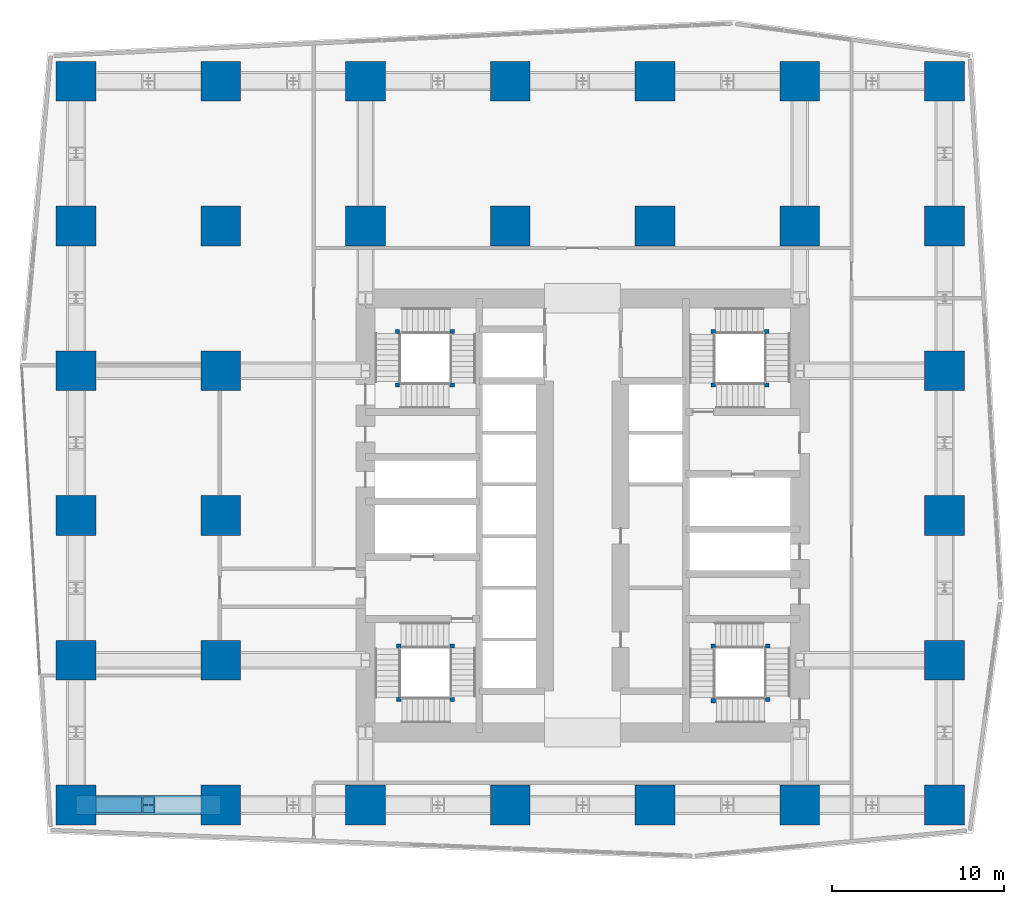
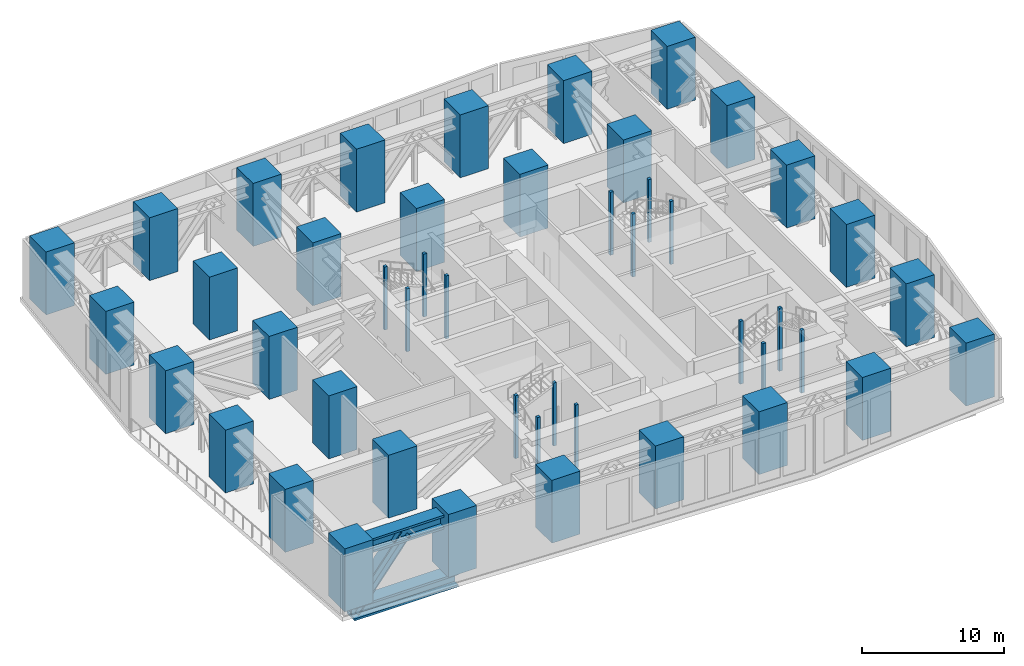
# One storey, part 1 of 16: 46 columns, 3 members.
"""IFC4 building model written with IfcOpenShell, lengths in metres."""

from ifc_helpers import new_model, si_unit, direction, frame, origin, origin_2d, place, context, subcontext, project, spatial, rectangle, i_section, extrude, material, material_profile, profile_set, type_object, element, save


model = new_model("IFC4")

# Units and contexts
model_context = context("Model", 3, precision=1e-05, world=origin(), true_north=direction((0.0, 1.0)))
body_context = subcontext(model_context, "Body", "Model", "MODEL_VIEW")
ifc_project = project(units=[si_unit("LENGTHUNIT", "METRE"), si_unit("AREAUNIT", "SQUARE_METRE"), si_unit("VOLUMEUNIT", "CUBIC_METRE"), si_unit("PLANEANGLEUNIT", "RADIAN"), si_unit("MASSUNIT", "GRAM", prefix="KILO")], contexts=[model_context])

# Site, building, storey
site_placement = place(None, origin())
site = spatial("IfcSite", under=ifc_project, at=site_placement, CompositionType="ELEMENT")
building_placement = place(site_placement, origin())
building = spatial("IfcBuilding", under=site, at=building_placement, Name="Rekha Terrace Tower", CompositionType="ELEMENT")
storey_placement = place(building_placement, frame((0.0, 0.0, 240.199951171875)))
storey = spatial("IfcBuildingStorey", under=building, at=storey_placement, Name="L61", CompositionType="ELEMENT", Elevation=240.199951171875)

# Columns
ifc_material_1 = material(Name="Concrete M70", Category="concrete")
ifc_material_profile_1 = material_profile(ifc_material_1, rectangle(XDim=2.300048828125, YDim=2.300048828125, at=origin_2d()), Name="RC 2300x2300")
ifc_profile_set_1 = profile_set([ifc_material_profile_1], Name="Concrete M70")
column_type_1 = type_object("IfcColumnType", Name="C5T 2300x2300 column", PredefinedType="COLUMN", material=ifc_profile_set_1)
for number, where, z_axis, x_axis, name in (
    (1, (8.39990234375, 16.800048828125, 0.0), (0.0, 0.0, 1.0), (1.0, 0.0, 0.0), "Column C5T 2/C L61"),
    (2, (8.39990234375, 25.199951171875, 0.0), (0.0, 0.0, 1.0), (1.0, 0.0, 0.0), "Column C5T 2/D L61"),
    (3, (8.39990234375, 33.60009765625, 0.0), (0.0, 0.0, 1.0), (1.0, 0.0, 0.0), "Column C5T 2/E L61"),
    (4, (8.39990234375, 42.0, 0.0), (0.0, 0.0, 1.0), (1.0, 0.0, 0.0), "Column C5T 2/F L61"),
    (5, (8.39990234375, 50.39990234375, 0.0), (0.0, 0.0, 1.0), (1.0, 0.0, 0.0), "Column C5T 2/G L61"),
    (6, (8.39990234375, 58.800048828125, 0.0), (0.0, 0.0, 1.0), (1.0, 0.0, 0.0), "Column C5T 2/H L61"),
    (7, (16.800048828125, 16.800048828125, 0.0), (0.0, 0.0, 1.0), (1.0, 0.0, 0.0), "Column C5T 3/C L61"),
    (8, (16.800048828125, 25.199951171875, 0.0), (0.0, 0.0, 1.0), (1.0, 0.0, 0.0), "Column C5T 3/D L61"),
    (9, (16.800048828125, 33.60009765625, 0.0), (0.0, 0.0, 1.0), (1.0, 0.0, 0.0), "Column C5T 3/E L61"),
    (10, (16.800048828125, 42.0, 0.0), (0.0, 0.0, 1.0), (1.0, 0.0, 0.0), "Column C5T 3/F L61"),
    (11, (16.800048828125, 50.39990234375, 0.0), (0.0, 0.0, 1.0), (1.0, 0.0, 0.0), "Column C5T 3/G L61"),
    (12, (16.800048828125, 58.800048828125, 0.0), (0.0, 0.0, 1.0), (1.0, 0.0, 0.0), "Column C5T 3/H L61"),
    (13, (25.199951171875, 16.800048828125, 0.0), (0.0, 0.0, 1.0), (1.0, 0.0, 0.0), "Column C5T 4/C L61"),
    (14, (25.199951171875, 50.39990234375, 0.0), (0.0, 0.0, 1.0), (1.0, 0.0, 0.0), "Column C5T 4/G L61"),
    (15, (25.199951171875, 58.800048828125, 0.0), (0.0, 0.0, 1.0), (1.0, 0.0, 0.0), "Column C5T 4/H L61"),
    (16, (33.60009765625, 16.800048828125, 0.0), (0.0, 0.0, 1.0), (1.0, 0.0, 0.0), "Column C5T 5/C L61"),
    (17, (33.60009765625, 50.39990234375, 0.0), (0.0, 0.0, 1.0), (1.0, 0.0, 0.0), "Column C5T 5/G L61"),
    (18, (33.60009765625, 58.800048828125, 0.0), (0.0, 0.0, 1.0), (1.0, 0.0, 0.0), "Column C5T 5/H L61"),
    (19, (42.0, 16.800048828125, 0.0), (0.0, 0.0, 1.0), (1.0, 0.0, 0.0), "Column C5T 6/C L61"),
    (20, (42.0, 50.39990234375, 0.0), (0.0, 0.0, 1.0), (1.0, 0.0, 0.0), "Column C5T 6/G L61"),
    (21, (42.0, 58.800048828125, 0.0), (0.0, 0.0, 1.0), (1.0, 0.0, 0.0), "Column C5T 6/H L61"),
    (22, (50.39990234375, 16.800048828125, 0.0), (0.0, 0.0, 1.0), (1.0, 0.0, 0.0), "Column C5T 7/C L61"),
    (23, (50.39990234375, 50.39990234375, 0.0), (0.0, 0.0, 1.0), (1.0, 0.0, 0.0), "Column C5T 7/G L61"),
    (24, (50.39990234375, 58.800048828125, 0.0), (0.0, 0.0, 1.0), (1.0, 0.0, 0.0), "Column C5T 7/H L61"),
    (25, (58.800048828125, 16.800048828125, 0.0), (0.0, 0.0, 1.0), (1.0, 0.0, 0.0), "Column C5T 8/C L61"),
    (26, (58.800048828125, 25.199951171875, 0.0), (0.0, 0.0, 1.0), (1.0, 0.0, 0.0), "Column C5T 8/D L61"),
    (27, (58.800048828125, 33.60009765625, 0.0), (0.0, 0.0, 1.0), (1.0, 0.0, 0.0), "Column C5T 8/E L61"),
    (28, (58.800048828125, 42.0, 0.0), (0.0, 0.0, 1.0), (1.0, 0.0, 0.0), "Column C5T 8/F L61"),
    (29, (58.800048828125, 50.39990234375, 0.0), (0.0, 0.0, 1.0), (1.0, 0.0, 0.0), "Column C5T 8/G L61"),
    (30, (58.800048828125, 58.800048828125, 0.0), (0.0, 0.0, 1.0), (1.0, 0.0, 0.0), "Column C5T 8/H L61"),
):
    element("IfcColumn", number, at=place(storey_placement, frame(where, z_axis=z_axis, x_axis=x_axis)), inside=storey, type_object=column_type_1, Name=name, PredefinedType="COLUMN", context=body_context, shape_type="SweptSolid", body=[
        extrude(rectangle(XDim=2.300048828125, YDim=2.300048828125, at=origin_2d()), origin(), (0.0, 0.0, 1.0), 5.400146484375),
    ])
ifc_material_2 = material(Name="Concrete M60", Category="concrete")
ifc_material_profile_2 = material_profile(ifc_material_2, rectangle(XDim=0.25, YDim=0.25, at=origin_2d()), Name="RC 250x250")
ifc_profile_set_2 = profile_set([ifc_material_profile_2], Name="Concrete M60")
column_type_2 = type_object("IfcColumnType", Name="NP1 250x250 stair newel post", PredefinedType="COLUMN", material=ifc_profile_set_2)
for number, where, z_axis, x_axis, name in (
    (31, (30.22509765625, 26.02490234375, 0.0), (0.0, 0.0, 1.0), (1.0, 0.0, 0.0), "Stair newel post NP1"),
    (32, (30.22509765625, 22.925048828125, 0.0), (0.0, 0.0, 1.0), (1.0, 0.0, 0.0), "Stair newel post NP1"),
    (33, (27.125, 22.925048828125, 0.0), (0.0, 0.0, 1.0), (1.0, 0.0, 0.0), "Stair newel post NP1"),
    (34, (27.125, 26.02490234375, 0.0), (0.0, 0.0, 1.0), (1.0, 0.0, 0.0), "Stair newel post NP1"),
    (35, (45.375, 41.175048828125, 0.0), (0.0, 0.0, 1.0), (1.0, 0.0, 0.0), "Stair newel post NP1"),
    (36, (45.375, 44.27490234375, 0.0), (0.0, 0.0, 1.0), (1.0, 0.0, 0.0), "Stair newel post NP1"),
    (37, (48.47509765625, 44.27490234375, 0.0), (0.0, 0.0, 1.0), (1.0, 0.0, 0.0), "Stair newel post NP1"),
    (38, (48.47509765625, 41.175048828125, 0.0), (0.0, 0.0, 1.0), (1.0, 0.0, 0.0), "Stair newel post NP1"),
    (39, (48.544921875, 22.925048828125, 0.0), (0.0, 0.0, 1.0), (1.0, 0.0, 0.0), "Stair newel post NP1"),
    (40, (45.375, 22.85498046875, 0.0), (0.0, 0.0, 1.0), (1.0, 0.0, 0.0), "Stair newel post NP1"),
    (41, (45.375, 26.02490234375, 0.0), (0.0, 0.0, 1.0), (1.0, 0.0, 0.0), "Stair newel post NP1"),
    (42, (48.544921875, 26.02490234375, 0.0), (0.0, 0.0, 1.0), (1.0, 0.0, 0.0), "Stair newel post NP1"),
    (43, (27.054931640625, 41.175048828125, 0.0), (0.0, 0.0, 1.0), (1.0, 0.0, 0.0), "Stair newel post NP1"),
    (44, (30.22509765625, 41.175048828125, 0.0), (0.0, 0.0, 1.0), (1.0, 0.0, 0.0), "Stair newel post NP1"),
    (45, (30.22509765625, 44.27490234375, 0.0), (0.0, 0.0, 1.0), (1.0, 0.0, 0.0), "Stair newel post NP1"),
    (46, (27.054931640625, 44.27490234375, 0.0), (0.0, 0.0, 1.0), (1.0, 0.0, 0.0), "Stair newel post NP1"),
):
    element("IfcColumn", number, at=place(storey_placement, frame(where, z_axis=z_axis, x_axis=x_axis)), inside=storey, type_object=column_type_2, Name=name, PredefinedType="COLUMN", context=body_context, shape_type="SweptSolid", body=[
        extrude(rectangle(XDim=0.25, YDim=0.25, at=origin_2d()), origin(), (0.0, 0.0, 1.0), 5.400146484375),
    ])

# Members
ifc_material_3 = material(Name="Steel E350", Category="steel")
ifc_material_profile_3 = material_profile(ifc_material_3, i_section(OverallWidth=1.10009765625, OverallDepth=1.199951171875, WebThickness=0.1201171875, FlangeThickness=0.179931640625, at=origin_2d()), Name="BU 1200x1100x120x180")
ifc_profile_set_3 = profile_set([ifc_material_profile_3], Name="Steel E350")
member_type_1 = type_object("IfcMemberType", Name="BC61 BU 1200x1100x120x180 belt truss chord", PredefinedType="CHORD", material=ifc_profile_set_3)
for number, where, z_axis, x_axis, name in (
    (47, (8.39990234375, 16.800048828125, 4.400146484375), (1.0, 0.0, 0.0), (0.0, 1.0, 0.0), "Belt top chord 2C-3C L61"),
    (48, (8.39990234375, 16.800048828125, -0.949951171875), (1.0, 0.0, 0.0), (0.0, 1.0, 0.0), "Belt bottom chord 2C-3C L61"),
):
    element("IfcMember", number, at=place(storey_placement, frame(where, z_axis=z_axis, x_axis=x_axis)), inside=storey, type_object=member_type_1, Name=name, PredefinedType="CHORD", context=body_context, shape_type="SweptSolid", body=[
        extrude(i_section(OverallWidth=1.10009765625, OverallDepth=1.199951171875, WebThickness=0.1201171875, FlangeThickness=0.179931640625, at=origin_2d()), origin(), (0.0, 0.0, 1.0), 8.400146484375),
    ])
ifc_material_profile_4 = material_profile(ifc_material_3, i_section(OverallWidth=0.89990234375, OverallDepth=1.0, WebThickness=0.06005859375, FlangeThickness=0.10009765625, at=origin_2d()), Name="BU 1000x900x60x100")
ifc_profile_set_4 = profile_set([ifc_material_profile_4], Name="Steel E350")
member_type_2 = type_object("IfcMemberType", Name="BD61 BU 1000x900x60x100 belt truss diagonal", PredefinedType="BRACE", material=ifc_profile_set_4)
member_placement = place(storey_placement, frame((8.39990234375, 16.800048828125, -0.949951171875), z_axis=(0.617507634842, 0.0, 0.78656488665), x_axis=(0.0, 1.0, 0.0)))
element("IfcMember", 49, at=member_placement, inside=storey, type_object=member_type_2, Name="Belt diagonal 2C-3C L61", PredefinedType="BRACE", context=body_context, shape_type="SweptSolid", body=[
    extrude(i_section(OverallWidth=0.89990234375, OverallDepth=1.0, WebThickness=0.06005859375, FlangeThickness=0.10009765625, at=origin_2d()), origin(), (0.0, 0.0, 1.0), 6.8017578125),
])

save(model, "model.ifc")
